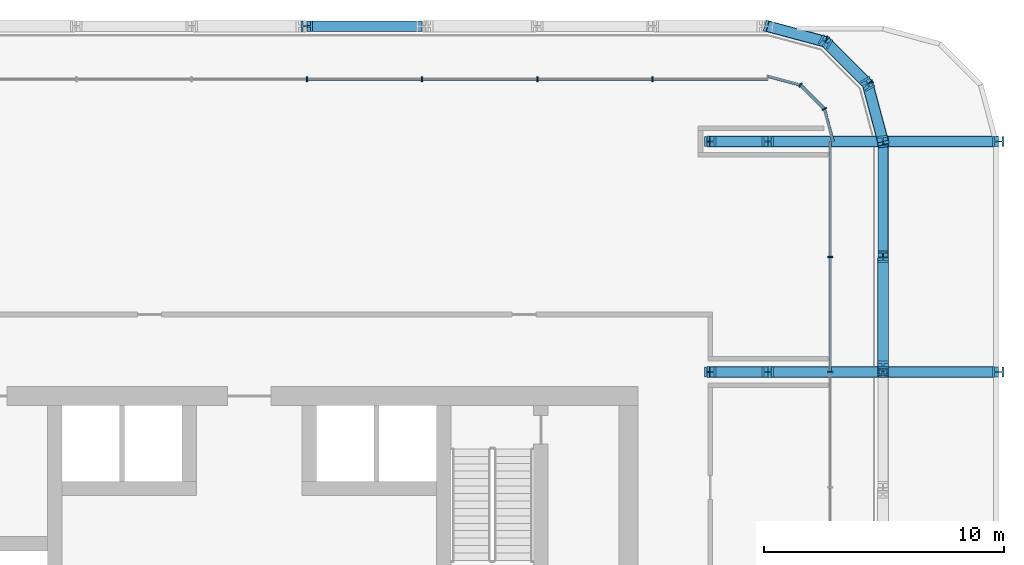
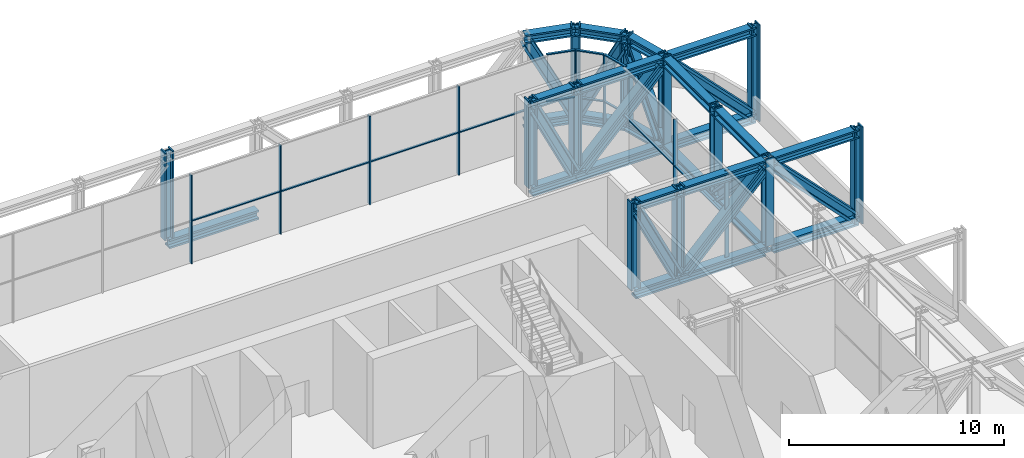
# One storey, part 13 of 25: 65 members, 3 elements without a shape of their own.
"""IFC4 building model written with IfcOpenShell, lengths in metres."""

from ifc_helpers import new_model, si_unit, direction, frame, origin, origin_2d, place, context, subcontext, project, spatial, rectangle, i_section, extrude, material, layer, layer_set, material_profile, profile_set, type_object, element, aggregate, save


model = new_model("IFC4")

# Units and contexts
model_context = context("Model", 3, precision=1e-05, world=origin(), true_north=direction((0.0, 1.0)))
body_context = subcontext(model_context, "Body", "Model", "MODEL_VIEW")
ifc_project = project(units=[si_unit("LENGTHUNIT", "METRE"), si_unit("AREAUNIT", "SQUARE_METRE"), si_unit("VOLUMEUNIT", "CUBIC_METRE"), si_unit("PLANEANGLEUNIT", "RADIAN"), si_unit("MASSUNIT", "GRAM", prefix="KILO")], contexts=[model_context])

# Site, building, storey
site_placement = place(None, origin())
site = spatial("IfcSite", under=ifc_project, at=site_placement, CompositionType="ELEMENT")
building_placement = place(site_placement, origin())
building = spatial("IfcBuilding", under=site, at=building_placement, Name="Madar Terraces", CompositionType="ELEMENT")
storey_placement = place(building_placement, frame((0.0, 0.0, 113.699951171875)))
storey = spatial("IfcBuildingStorey", under=building, at=storey_placement, Name="L29", CompositionType="ELEMENT", Elevation=113.699951171875)

# Members
ifc_material_1 = material(Name="Steel ASTM A913 Grade 65", Category="steel")
ifc_material_profile_1 = material_profile(ifc_material_1, i_section(OverallWidth=0.44189453125, OverallDepth=0.53076171875, WebThickness=0.06591796875, FlangeThickness=0.105712890625, at=origin_2d()), Name="W14x605")
ifc_profile_set_1 = profile_set([ifc_material_profile_1], Name="Steel ASTM A913 Grade 65")
member_type_1 = type_object("IfcMemberType", Name="BC4 W14x605", PredefinedType="CHORD", material=ifc_profile_set_1)
for number, where, z_axis, x_axis, name in (
    (1, (57.60009765625, 38.39990234375, -0.154541015625), (0.0, 1.0, 0.0), (-1.0, 0.0, 0.0), "Exoskeleton truss ring bottom chord BC4"),
    (2, (57.60009765625, 43.199951171875, -0.154541015625), (0.0, 1.0, 0.0), (-1.0, 0.0, 0.0), "Exoskeleton truss ring bottom chord BC4"),
):
    element("IfcMember", number, at=place(storey_placement, frame(where, z_axis=z_axis, x_axis=x_axis)), inside=storey, type_object=member_type_1, Name=name, PredefinedType="CHORD", context=body_context, shape_type="SweptSolid", body=[
        extrude(i_section(OverallWidth=0.44189453125, OverallDepth=0.53076171875, WebThickness=0.06591796875, FlangeThickness=0.105712890625, at=origin_2d()), origin(), (0.0, 0.0, 1.0), 4.800048828125),
    ])
member_1_placement = place(storey_placement, frame((57.60009765625, 48.0, -0.154541015625), z_axis=(-0.258824494443, 0.965924366126, 0.0), x_axis=(-0.965924366126, -0.258824494443, 0.0)))
element("IfcMember", 3, at=member_1_placement, inside=storey, type_object=member_type_1, Name="Exoskeleton truss ring bottom chord BC4", PredefinedType="CHORD", context=body_context, shape_type="SweptSolid", body=[
    extrude(i_section(OverallWidth=0.44189453125, OverallDepth=0.53076171875, WebThickness=0.06591796875, FlangeThickness=0.105712890625, at=origin_2d()), origin(), (0.0, 0.0, 1.0), 2.484619140625),
])
member_2_placement = place(storey_placement, frame((56.95703125, 50.39990234375, -0.154541015625), z_axis=(-0.707106781187, 0.707106781187, 0.0), x_axis=(-0.707106781187, -0.707106781187, 0.0)))
element("IfcMember", 4, at=member_2_placement, inside=storey, type_object=member_type_1, Name="Exoskeleton truss ring bottom chord BC4", PredefinedType="CHORD", context=body_context, shape_type="SweptSolid", body=[
    extrude(i_section(OverallWidth=0.44189453125, OverallDepth=0.53076171875, WebThickness=0.06591796875, FlangeThickness=0.105712890625, at=origin_2d()), origin(), (0.0, 0.0, 1.0), 2.48486328125),
])
member_3_placement = place(storey_placement, frame((55.199951171875, 52.156982421875, -0.154541015625), z_axis=(-0.965924366126, 0.258824494443, 0.0), x_axis=(-0.258824494443, -0.965924366126, 0.0)))
element("IfcMember", 5, at=member_3_placement, inside=storey, type_object=member_type_1, Name="Exoskeleton truss ring bottom chord BC4", PredefinedType="CHORD", context=body_context, shape_type="SweptSolid", body=[
    extrude(i_section(OverallWidth=0.44189453125, OverallDepth=0.53076171875, WebThickness=0.06591796875, FlangeThickness=0.105712890625, at=origin_2d()), origin(), (0.0, 0.0, 1.0), 2.484619140625),
])
member_4_placement = place(storey_placement, frame((38.39990234375, 52.800048828125, -0.154541015625), z_axis=(-1.0, 0.0, 0.0), x_axis=(0.0, -1.0, 0.0)))
element("IfcMember", 6, at=member_4_placement, inside=storey, type_object=member_type_1, Name="Exoskeleton truss ring bottom chord BC4", PredefinedType="CHORD", context=body_context, shape_type="SweptSolid", body=[
    extrude(i_section(OverallWidth=0.44189453125, OverallDepth=0.53076171875, WebThickness=0.06591796875, FlangeThickness=0.105712890625, at=origin_2d()), origin(), (0.0, 0.0, 1.0), 4.7998046875),
])
for number, where, z_axis, x_axis, name in (
    (7, (62.39990234375, 38.39990234375, -0.154541015625), (-1.0, 0.0, 0.0), (0.0, -1.0, 0.0), "Exoskeleton truss cross E38.4 bottom chord BC4"),
    (8, (57.37890625, 38.39990234375, -0.154541015625), (-1.0, 0.0, 0.0), (0.0, -1.0, 0.0), "Exoskeleton truss cross E38.4 bottom chord BC4"),
):
    element("IfcMember", number, at=place(storey_placement, frame(where, z_axis=z_axis, x_axis=x_axis)), inside=storey, type_object=member_type_1, Name=name, PredefinedType="CHORD", context=body_context, shape_type="SweptSolid", body=[
        extrude(i_section(OverallWidth=0.44189453125, OverallDepth=0.53076171875, WebThickness=0.06591796875, FlangeThickness=0.105712890625, at=origin_2d()), origin(), (0.0, 0.0, 1.0), 4.578857421875),
    ])
member_5_placement = place(storey_placement, frame((52.800048828125, 38.39990234375, -0.154541015625), z_axis=(-1.0, 0.0, 0.0), x_axis=(0.0, -1.0, 0.0)))
element("IfcMember", 9, at=member_5_placement, inside=storey, type_object=member_type_1, Name="Exoskeleton truss cross E38.4 bottom chord BC4", PredefinedType="CHORD", context=body_context, shape_type="SweptSolid", body=[
    extrude(i_section(OverallWidth=0.44189453125, OverallDepth=0.53076171875, WebThickness=0.06591796875, FlangeThickness=0.105712890625, at=origin_2d()), origin(), (0.0, 0.0, 1.0), 2.400146484375),
])
for number, where, z_axis, x_axis, name in (
    (10, (62.39990234375, 48.0, -0.154541015625), (-1.0, 0.0, 0.0), (0.0, -1.0, 0.0), "Exoskeleton truss cross E48 bottom chord BC4"),
    (11, (57.37890625, 48.0, -0.154541015625), (-1.0, 0.0, 0.0), (0.0, -1.0, 0.0), "Exoskeleton truss cross E48 bottom chord BC4"),
):
    element("IfcMember", number, at=place(storey_placement, frame(where, z_axis=z_axis, x_axis=x_axis)), inside=storey, type_object=member_type_1, Name=name, PredefinedType="CHORD", context=body_context, shape_type="SweptSolid", body=[
        extrude(i_section(OverallWidth=0.44189453125, OverallDepth=0.53076171875, WebThickness=0.06591796875, FlangeThickness=0.105712890625, at=origin_2d()), origin(), (0.0, 0.0, 1.0), 4.578857421875),
    ])
member_6_placement = place(storey_placement, frame((52.800048828125, 48.0, -0.154541015625), z_axis=(-1.0, 0.0, 0.0), x_axis=(0.0, -1.0, 0.0)))
element("IfcMember", 12, at=member_6_placement, inside=storey, type_object=member_type_1, Name="Exoskeleton truss cross E48 bottom chord BC4", PredefinedType="CHORD", context=body_context, shape_type="SweptSolid", body=[
    extrude(i_section(OverallWidth=0.44189453125, OverallDepth=0.53076171875, WebThickness=0.06591796875, FlangeThickness=0.105712890625, at=origin_2d()), origin(), (0.0, 0.0, 1.0), 2.400146484375),
])

# Curtain wall, members
ifc_material_2 = material(Name="Glass, ceramic frit dark grey, with black aluminium frame", Category="aluminium")
ifc_layer = layer(ifc_material_2, 0.199951171875)
ifc_layer_set = layer_set([ifc_layer], Name="Facade curtain wall, tall glazing")
curtain_wall_type = type_object("IfcCurtainWallType", Name="Facade curtain wall, tall glazing", PredefinedType="NOTDEFINED", material=ifc_layer_set)
curtain_wall_1_placement = place(storey_placement, origin())
curtain_wall_1 = element("IfcCurtainWall", 13, at=curtain_wall_1_placement, inside=storey, type_object=curtain_wall_type, Name="Outer skin curtain wall east bay 1", PredefinedType="NOTDEFINED")
ifc_material_3 = material(Name="Aluminium, black anodised", Category="aluminium")
ifc_material_profile_2 = material_profile(ifc_material_3, rectangle(XDim=0.199951171875, YDim=0.06005859375, at=origin_2d()), Name="Facade mullion 60x200")
ifc_profile_set_2 = profile_set([ifc_material_profile_2], Name="Aluminium, black anodised")
member_type_2 = type_object("IfcMemberType", Name="Facade mullion 60x200", PredefinedType="MULLION", material=ifc_profile_set_2)
member_7_placement = place(storey_placement, frame((55.39990234375, 38.39990234375, 0.0), z_axis=(0.0, 0.0, 1.0), x_axis=(-1.0, 0.0, 0.0)))
member_7 = element("IfcMember", 14, at=member_7_placement, type_object=member_type_2, Name="Mullion 6", PredefinedType="MULLION", context=body_context, shape_type="SweptSolid", body=[
    extrude(rectangle(XDim=0.199951171875, YDim=0.06005859375, at=origin_2d()), origin(), (0.0, 0.0, 1.0), 5.0400390625),
])
member_8_placement = place(storey_placement, frame((55.39990234375, 43.199951171875, 0.0), z_axis=(0.0, 0.0, 1.0), x_axis=(-1.0, 0.0, 0.0)))
member_8 = element("IfcMember", 15, at=member_8_placement, type_object=member_type_2, Name="Mullion 7", PredefinedType="MULLION", context=body_context, shape_type="SweptSolid", body=[
    extrude(rectangle(XDim=0.199951171875, YDim=0.06005859375, at=origin_2d()), origin(), (0.0, 0.0, 1.0), 5.0400390625),
])

curtain_wall_2_placement = place(storey_placement, origin())
curtain_wall_2 = element("IfcCurtainWall", 16, at=curtain_wall_2_placement, inside=storey, type_object=curtain_wall_type, Name="Outer skin curtain wall north bay 1", PredefinedType="NOTDEFINED")
member_9_placement = place(storey_placement, frame((48.0, 50.60009765625, 0.0), z_axis=(0.0, 0.0, 1.0), x_axis=(0.0, -1.0, 0.0)))
member_9 = element("IfcMember", 17, at=member_9_placement, type_object=member_type_2, Name="Mullion 1", PredefinedType="MULLION", context=body_context, shape_type="SweptSolid", body=[
    extrude(rectangle(XDim=0.199951171875, YDim=0.06005859375, at=origin_2d()), origin(), (0.0, 0.0, 1.0), 5.0400390625),
])
member_10_placement = place(storey_placement, frame((43.199951171875, 50.60009765625, 0.0), z_axis=(0.0, 0.0, 1.0), x_axis=(0.0, -1.0, 0.0)))
member_10 = element("IfcMember", 18, at=member_10_placement, type_object=member_type_2, Name="Mullion 2", PredefinedType="MULLION", context=body_context, shape_type="SweptSolid", body=[
    extrude(rectangle(XDim=0.199951171875, YDim=0.06005859375, at=origin_2d()), origin(), (0.0, 0.0, 1.0), 5.0400390625),
])
member_11_placement = place(storey_placement, frame((38.39990234375, 50.60009765625, 0.0), z_axis=(0.0, 0.0, 1.0), x_axis=(0.0, -1.0, 0.0)))
member_11 = element("IfcMember", 19, at=member_11_placement, type_object=member_type_2, Name="Mullion 3", PredefinedType="MULLION", context=body_context, shape_type="SweptSolid", body=[
    extrude(rectangle(XDim=0.199951171875, YDim=0.06005859375, at=origin_2d()), origin(), (0.0, 0.0, 1.0), 5.0400390625),
])
member_12_placement = place(storey_placement, frame((33.60009765625, 50.60009765625, 0.0), z_axis=(0.0, 0.0, 1.0), x_axis=(0.0, -1.0, 0.0)))
member_12 = element("IfcMember", 20, at=member_12_placement, type_object=member_type_2, Name="Mullion 4", PredefinedType="MULLION", context=body_context, shape_type="SweptSolid", body=[
    extrude(rectangle(XDim=0.199951171875, YDim=0.06005859375, at=origin_2d()), origin(), (0.0, 0.0, 1.0), 5.0400390625),
])

curtain_wall_3_placement = place(storey_placement, origin())
curtain_wall_3 = element("IfcCurtainWall", 21, at=curtain_wall_3_placement, inside=storey, type_object=curtain_wall_type, Name="Outer skin curtain wall north-east corner", PredefinedType="NOTDEFINED")
member_13_placement = place(storey_placement, frame((55.155517578125, 49.360107421875, 0.0), z_axis=(0.0, 0.0, 1.0), x_axis=(-0.866025386925, -0.500000029202, 0.0)))
member_13 = element("IfcMember", 22, at=member_13_placement, type_object=member_type_2, Name="Mullion 1", PredefinedType="MULLION", context=body_context, shape_type="SweptSolid", body=[
    extrude(rectangle(XDim=0.199951171875, YDim=0.06005859375, at=origin_2d()), origin(), (0.0, 0.0, 1.0), 5.0400390625),
])
member_14_placement = place(storey_placement, frame((54.159912109375, 50.35546875, 0.0), z_axis=(0.0, 0.0, 1.0), x_axis=(-0.500000029202, -0.866025386925, 0.0)))
member_14 = element("IfcMember", 23, at=member_14_placement, type_object=member_type_2, Name="Mullion 2", PredefinedType="MULLION", context=body_context, shape_type="SweptSolid", body=[
    extrude(rectangle(XDim=0.199951171875, YDim=0.06005859375, at=origin_2d()), origin(), (0.0, 0.0, 1.0), 5.0400390625),
])

# Member
ifc_material_4 = material(Name="Aluminium, black anodised", Category="aluminium")
ifc_material_profile_3 = material_profile(ifc_material_4, rectangle(XDim=0.1201171875, YDim=0.06005859375, at=origin_2d()), Name="Facade transom 60x120")
ifc_profile_set_3 = profile_set([ifc_material_profile_3], Name="Aluminium, black anodised")
member_type_3 = type_object("IfcMemberType", Name="Facade transom 60x120", PredefinedType="USERDEFINED", material=ifc_profile_set_3)
member_15_placement = place(storey_placement, frame((55.39990234375, 38.429931640625, 2.400146484375), z_axis=(0.0, 1.0, 0.0), x_axis=(-1.0, 0.0, 0.0)))
member_15 = element("IfcMember", 24, at=member_15_placement, type_object=member_type_3, Name="Transom 8", ObjectType="TRANSOM", PredefinedType="USERDEFINED", context=body_context, shape_type="SweptSolid", body=[
    extrude(rectangle(XDim=0.1201171875, YDim=0.06005859375, at=origin_2d()), origin(), (0.0, 0.0, 1.0), 4.739990234375),
])

member_16_placement = place(storey_placement, frame((55.39990234375, 43.22998046875, 2.400146484375), z_axis=(0.0, 1.0, 0.0), x_axis=(-1.0, 0.0, 0.0)))
member_16 = element("IfcMember", 25, at=member_16_placement, type_object=member_type_3, Name="Transom 9", ObjectType="TRANSOM", PredefinedType="USERDEFINED", context=body_context, shape_type="SweptSolid", body=[
    extrude(rectangle(XDim=0.1201171875, YDim=0.06005859375, at=origin_2d()), origin(), (0.0, 0.0, 1.0), 4.77001953125),
])

aggregate(curtain_wall_1, [member_7, member_8, member_15, member_16])

member_17_placement = place(storey_placement, frame((52.800048828125, 50.60009765625, 2.400146484375), z_axis=(-1.0, 0.0, 0.0), x_axis=(0.0, -1.0, 0.0)))
member_17 = element("IfcMember", 26, at=member_17_placement, type_object=member_type_3, Name="Transom 2", ObjectType="TRANSOM", PredefinedType="USERDEFINED", context=body_context, shape_type="SweptSolid", body=[
    extrude(rectangle(XDim=0.1201171875, YDim=0.06005859375, at=origin_2d()), origin(), (0.0, 0.0, 1.0), 4.77001953125),
])

member_18_placement = place(storey_placement, frame((47.969970703125, 50.60009765625, 2.400146484375), z_axis=(-1.0, 0.0, 0.0), x_axis=(0.0, -1.0, 0.0)))
member_18 = element("IfcMember", 27, at=member_18_placement, type_object=member_type_3, Name="Transom 3", ObjectType="TRANSOM", PredefinedType="USERDEFINED", context=body_context, shape_type="SweptSolid", body=[
    extrude(rectangle(XDim=0.1201171875, YDim=0.06005859375, at=origin_2d()), origin(), (0.0, 0.0, 1.0), 4.739990234375),
])

member_19_placement = place(storey_placement, frame((43.169921875, 50.60009765625, 2.400146484375), z_axis=(-1.0, 0.0, 0.0), x_axis=(0.0, -1.0, 0.0)))
member_19 = element("IfcMember", 28, at=member_19_placement, type_object=member_type_3, Name="Transom 4", ObjectType="TRANSOM", PredefinedType="USERDEFINED", context=body_context, shape_type="SweptSolid", body=[
    extrude(rectangle(XDim=0.1201171875, YDim=0.06005859375, at=origin_2d()), origin(), (0.0, 0.0, 1.0), 4.739990234375),
])

member_20_placement = place(storey_placement, frame((38.3701171875, 50.60009765625, 2.400146484375), z_axis=(-1.0, 0.0, 0.0), x_axis=(0.0, -1.0, 0.0)))
member_20 = element("IfcMember", 29, at=member_20_placement, type_object=member_type_3, Name="Transom 5", ObjectType="TRANSOM", PredefinedType="USERDEFINED", context=body_context, shape_type="SweptSolid", body=[
    extrude(rectangle(XDim=0.1201171875, YDim=0.06005859375, at=origin_2d()), origin(), (0.0, 0.0, 1.0), 4.740234375),
])

aggregate(curtain_wall_2, [member_9, member_10, member_11, member_12, member_17, member_18, member_19, member_20])

member_21_placement = place(storey_placement, frame((55.52001953125, 48.0, 5.070068359375), z_axis=(-0.258842352791, 0.965919580711, 0.0), x_axis=(-0.965919580711, -0.258842352791, 0.0)))
member_21 = element("IfcMember", 30, at=member_21_placement, type_object=member_type_3, Name="Transom 1", ObjectType="TRANSOM", PredefinedType="USERDEFINED", context=body_context, shape_type="SweptSolid", body=[
    extrude(rectangle(XDim=0.1201171875, YDim=0.06005859375, at=origin_2d()), origin(), (0.0, 0.0, 1.0), 1.3779296875),
])

member_22_placement = place(storey_placement, frame((55.52001953125, 48.0, 2.400146484375), z_axis=(-0.258842352791, 0.965919580711, 0.0), x_axis=(-0.965919580711, -0.258842352791, 0.0)))
member_22 = element("IfcMember", 31, at=member_22_placement, type_object=member_type_3, Name="Transom 2", ObjectType="TRANSOM", PredefinedType="USERDEFINED", context=body_context, shape_type="SweptSolid", body=[
    extrude(rectangle(XDim=0.1201171875, YDim=0.06005859375, at=origin_2d()), origin(), (0.0, 0.0, 1.0), 1.3779296875),
])

member_23_placement = place(storey_placement, frame((55.13427734375, 49.381103515625, 5.070068359375), z_axis=(-0.707016225155, 0.707197325622, 0.0), x_axis=(-0.707197325622, -0.707016225155, 0.0)))
member_23 = element("IfcMember", 32, at=member_23_placement, type_object=member_type_3, Name="Transom 3", ObjectType="TRANSOM", PredefinedType="USERDEFINED", context=body_context, shape_type="SweptSolid", body=[
    extrude(rectangle(XDim=0.1201171875, YDim=0.06005859375, at=origin_2d()), origin(), (0.0, 0.0, 1.0), 1.34814453125),
])

member_24_placement = place(storey_placement, frame((55.13427734375, 49.381103515625, 2.400146484375), z_axis=(-0.707016225155, 0.707197325622, 0.0), x_axis=(-0.707197325622, -0.707016225155, 0.0)))
member_24 = element("IfcMember", 33, at=member_24_placement, type_object=member_type_3, Name="Transom 4", ObjectType="TRANSOM", PredefinedType="USERDEFINED", context=body_context, shape_type="SweptSolid", body=[
    extrude(rectangle(XDim=0.1201171875, YDim=0.06005859375, at=origin_2d()), origin(), (0.0, 0.0, 1.0), 1.34814453125),
])

member_25_placement = place(storey_placement, frame((54.131103515625, 50.36328125, 5.070068359375), z_axis=(-0.965919580711, 0.258842352791, 0.0), x_axis=(-0.258842352791, -0.965919580711, 0.0)))
member_25 = element("IfcMember", 34, at=member_25_placement, type_object=member_type_3, Name="Transom 5", ObjectType="TRANSOM", PredefinedType="USERDEFINED", context=body_context, shape_type="SweptSolid", body=[
    extrude(rectangle(XDim=0.1201171875, YDim=0.06005859375, at=origin_2d()), origin(), (0.0, 0.0, 1.0), 1.3779296875),
])

member_26_placement = place(storey_placement, frame((54.131103515625, 50.36328125, 2.400146484375), z_axis=(-0.965919580711, 0.258842352791, 0.0), x_axis=(-0.258842352791, -0.965919580711, 0.0)))
member_26 = element("IfcMember", 35, at=member_26_placement, type_object=member_type_3, Name="Transom 6", ObjectType="TRANSOM", PredefinedType="USERDEFINED", context=body_context, shape_type="SweptSolid", body=[
    extrude(rectangle(XDim=0.1201171875, YDim=0.06005859375, at=origin_2d()), origin(), (0.0, 0.0, 1.0), 1.3779296875),
])

aggregate(curtain_wall_3, [member_13, member_21, member_22, member_14, member_23, member_24, member_25, member_26])

# Members
ifc_material_5 = material(Name="Steel ASTM A913 Grade 65", Category="steel")
ifc_material_profile_4 = material_profile(ifc_material_5, i_section(OverallWidth=0.431884765625, OverallDepth=0.497802734375, WebThickness=0.0556640625, FlangeThickness=0.0888671875, at=origin_2d()), Name="W14x500")
ifc_profile_set_4 = profile_set([ifc_material_profile_4], Name="Steel ASTM A913 Grade 65")
member_type_4 = type_object("IfcMemberType", Name="TC4 W14x500", PredefinedType="CHORD", material=ifc_profile_set_4)
for number, where, z_axis, x_axis, name in (
    (36, (57.60009765625, 38.39990234375, 4.78125), (0.0, 1.0, 0.0), (-1.0, 0.0, 0.0), "Exoskeleton truss ring top chord TC4"),
    (37, (57.60009765625, 43.199951171875, 4.78125), (0.0, 1.0, 0.0), (-1.0, 0.0, 0.0), "Exoskeleton truss ring top chord TC4"),
):
    element("IfcMember", number, at=place(storey_placement, frame(where, z_axis=z_axis, x_axis=x_axis)), inside=storey, type_object=member_type_4, Name=name, PredefinedType="CHORD", context=body_context, shape_type="SweptSolid", body=[
        extrude(i_section(OverallWidth=0.431884765625, OverallDepth=0.497802734375, WebThickness=0.0556640625, FlangeThickness=0.0888671875, at=origin_2d()), origin(), (0.0, 0.0, 1.0), 4.800048828125),
    ])
member_27_placement = place(storey_placement, frame((57.60009765625, 48.0, 4.78125), z_axis=(-0.258824494443, 0.965924366126, 0.0), x_axis=(-0.965924366126, -0.258824494443, 0.0)))
element("IfcMember", 38, at=member_27_placement, inside=storey, type_object=member_type_4, Name="Exoskeleton truss ring top chord TC4", PredefinedType="CHORD", context=body_context, shape_type="SweptSolid", body=[
    extrude(i_section(OverallWidth=0.431884765625, OverallDepth=0.497802734375, WebThickness=0.0556640625, FlangeThickness=0.0888671875, at=origin_2d()), origin(), (0.0, 0.0, 1.0), 2.484619140625),
])
member_28_placement = place(storey_placement, frame((56.95703125, 50.39990234375, 4.78125), z_axis=(-0.707106781187, 0.707106781187, 0.0), x_axis=(-0.707106781187, -0.707106781187, 0.0)))
element("IfcMember", 39, at=member_28_placement, inside=storey, type_object=member_type_4, Name="Exoskeleton truss ring top chord TC4", PredefinedType="CHORD", context=body_context, shape_type="SweptSolid", body=[
    extrude(i_section(OverallWidth=0.431884765625, OverallDepth=0.497802734375, WebThickness=0.0556640625, FlangeThickness=0.0888671875, at=origin_2d()), origin(), (0.0, 0.0, 1.0), 2.48486328125),
])
member_29_placement = place(storey_placement, frame((55.199951171875, 52.156982421875, 4.78125), z_axis=(-0.965924366126, 0.258824494443, 0.0), x_axis=(-0.258824494443, -0.965924366126, 0.0)))
element("IfcMember", 40, at=member_29_placement, inside=storey, type_object=member_type_4, Name="Exoskeleton truss ring top chord TC4", PredefinedType="CHORD", context=body_context, shape_type="SweptSolid", body=[
    extrude(i_section(OverallWidth=0.431884765625, OverallDepth=0.497802734375, WebThickness=0.0556640625, FlangeThickness=0.0888671875, at=origin_2d()), origin(), (0.0, 0.0, 1.0), 2.484619140625),
])
for number, where, z_axis, x_axis, name in (
    (41, (62.39990234375, 38.39990234375, 4.78125), (-1.0, 0.0, 0.0), (0.0, -1.0, 0.0), "Exoskeleton truss cross E38.4 top chord TC4"),
    (42, (57.384033203125, 38.39990234375, 4.78125), (-1.0, 0.0, 0.0), (0.0, -1.0, 0.0), "Exoskeleton truss cross E38.4 top chord TC4"),
):
    element("IfcMember", number, at=place(storey_placement, frame(where, z_axis=z_axis, x_axis=x_axis)), inside=storey, type_object=member_type_4, Name=name, PredefinedType="CHORD", context=body_context, shape_type="SweptSolid", body=[
        extrude(i_section(OverallWidth=0.431884765625, OverallDepth=0.497802734375, WebThickness=0.0556640625, FlangeThickness=0.0888671875, at=origin_2d()), origin(), (0.0, 0.0, 1.0), 4.583984375),
    ])
member_30_placement = place(storey_placement, frame((52.800048828125, 38.39990234375, 4.78125), z_axis=(-1.0, 0.0, 0.0), x_axis=(0.0, -1.0, 0.0)))
element("IfcMember", 43, at=member_30_placement, inside=storey, type_object=member_type_4, Name="Exoskeleton truss cross E38.4 top chord TC4", PredefinedType="CHORD", context=body_context, shape_type="SweptSolid", body=[
    extrude(i_section(OverallWidth=0.431884765625, OverallDepth=0.497802734375, WebThickness=0.0556640625, FlangeThickness=0.0888671875, at=origin_2d()), origin(), (0.0, 0.0, 1.0), 2.400146484375),
])
for number, where, z_axis, x_axis, name in (
    (44, (62.39990234375, 48.0, 4.78125), (-1.0, 0.0, 0.0), (0.0, -1.0, 0.0), "Exoskeleton truss cross E48 top chord TC4"),
    (45, (57.384033203125, 48.0, 4.78125), (-1.0, 0.0, 0.0), (0.0, -1.0, 0.0), "Exoskeleton truss cross E48 top chord TC4"),
):
    element("IfcMember", number, at=place(storey_placement, frame(where, z_axis=z_axis, x_axis=x_axis)), inside=storey, type_object=member_type_4, Name=name, PredefinedType="CHORD", context=body_context, shape_type="SweptSolid", body=[
        extrude(i_section(OverallWidth=0.431884765625, OverallDepth=0.497802734375, WebThickness=0.0556640625, FlangeThickness=0.0888671875, at=origin_2d()), origin(), (0.0, 0.0, 1.0), 4.583984375),
    ])
member_31_placement = place(storey_placement, frame((52.800048828125, 48.0, 4.78125), z_axis=(-1.0, 0.0, 0.0), x_axis=(0.0, -1.0, 0.0)))
element("IfcMember", 46, at=member_31_placement, inside=storey, type_object=member_type_4, Name="Exoskeleton truss cross E48 top chord TC4", PredefinedType="CHORD", context=body_context, shape_type="SweptSolid", body=[
    extrude(i_section(OverallWidth=0.431884765625, OverallDepth=0.497802734375, WebThickness=0.0556640625, FlangeThickness=0.0888671875, at=origin_2d()), origin(), (0.0, 0.0, 1.0), 2.400146484375),
])
ifc_material_6 = material(Name="Steel ASTM A913 Grade 65", Category="steel")
ifc_material_profile_5 = material_profile(ifc_material_6, i_section(OverallWidth=0.472412109375, OverallDepth=0.5791015625, WebThickness=0.094970703125, FlangeThickness=0.130126953125, at=origin_2d()), Name="W14x808")
ifc_profile_set_5 = profile_set([ifc_material_profile_5], Name="Steel ASTM A913 Grade 65")
member_type_5 = type_object("IfcMemberType", Name="TD4 W14x808", PredefinedType="BRACE", material=ifc_profile_set_5)
member_32_placement = place(storey_placement, frame((57.60009765625, 38.64208984375, 4.5322265625), z_axis=(0.0, 0.697181267802, -0.716894887571), x_axis=(-1.0, 0.0, 0.0)))
element("IfcMember", 47, at=member_32_placement, inside=storey, type_object=member_type_5, Name="Exoskeleton truss ring diagonal TD4", PredefinedType="BRACE", context=body_context, shape_type="SweptSolid", body=[
    extrude(i_section(OverallWidth=0.472412109375, OverallDepth=0.5791015625, WebThickness=0.094970703125, FlangeThickness=0.130126953125, at=origin_2d()), origin(), (0.0, 0.0, 1.0), 6.16748046875),
])
member_33_placement = place(storey_placement, frame((57.5654296875, 48.129150390625, 0.11083984375), z_axis=(-0.116397848783, 0.434321803553, 0.893205526045), x_axis=(-0.965913775686, -0.258864014379, 0.0)))
element("IfcMember", 48, at=member_33_placement, inside=storey, type_object=member_type_5, Name="Exoskeleton truss ring diagonal TD4", PredefinedType="BRACE", context=body_context, shape_type="SweptSolid", body=[
    extrude(i_section(OverallWidth=0.472412109375, OverallDepth=0.5791015625, WebThickness=0.094970703125, FlangeThickness=0.130126953125, at=origin_2d()), origin(), (0.0, 0.0, 1.0), 4.949951171875),
])
member_34_placement = place(storey_placement, frame((56.868408203125, 50.488525390625, 4.5322265625), z_axis=(-0.317968487304, 0.317968487304, -0.89319207462), x_axis=(-0.707106781187, -0.707106781187, 0.0)))
element("IfcMember", 49, at=member_34_placement, inside=storey, type_object=member_type_5, Name="Exoskeleton truss ring diagonal TD4", PredefinedType="BRACE", context=body_context, shape_type="SweptSolid", body=[
    extrude(i_section(OverallWidth=0.472412109375, OverallDepth=0.5791015625, WebThickness=0.094970703125, FlangeThickness=0.130126953125, at=origin_2d()), origin(), (0.0, 0.0, 1.0), 4.9501953125),
])
member_35_placement = place(storey_placement, frame((55.071044921875, 52.19140625, 0.11083984375), z_axis=(-0.434321803553, 0.116397848783, 0.893205526045), x_axis=(-0.258864014379, -0.965913775686, 0.0)))
element("IfcMember", 50, at=member_35_placement, inside=storey, type_object=member_type_5, Name="Exoskeleton truss ring diagonal TD4", PredefinedType="BRACE", context=body_context, shape_type="SweptSolid", body=[
    extrude(i_section(OverallWidth=0.472412109375, OverallDepth=0.5791015625, WebThickness=0.094970703125, FlangeThickness=0.130126953125, at=origin_2d()), origin(), (0.0, 0.0, 1.0), 4.949951171875),
])
for number, where, z_axis, x_axis, name in (
    (51, (62.141845703125, 38.39990234375, 0.11083984375), (-0.697181267802, 0.0, 0.716894887571), (0.0, -1.0, 0.0), "Exoskeleton truss cross E38.4 diagonal TD4"),
    (52, (57.35791015625, 38.39990234375, 4.5322265625), (-0.697181267802, 0.0, -0.716894887571), (0.0, -1.0, 0.0), "Exoskeleton truss cross E38.4 diagonal TD4"),
):
    element("IfcMember", number, at=place(storey_placement, frame(where, z_axis=z_axis, x_axis=x_axis)), inside=storey, type_object=member_type_5, Name=name, PredefinedType="BRACE", context=body_context, shape_type="SweptSolid", body=[
        extrude(i_section(OverallWidth=0.472412109375, OverallDepth=0.5791015625, WebThickness=0.094970703125, FlangeThickness=0.130126953125, at=origin_2d()), origin(), (0.0, 0.0, 1.0), 6.16748046875),
    ])
member_36_placement = place(storey_placement, frame((52.6708984375, 38.39990234375, 0.11083984375), z_axis=(-0.43729423743, 0.0, 0.899318491921), x_axis=(0.0, -1.0, 0.0)))
element("IfcMember", 53, at=member_36_placement, inside=storey, type_object=member_type_5, Name="Exoskeleton truss cross E38.4 diagonal TD4", PredefinedType="BRACE", context=body_context, shape_type="SweptSolid", body=[
    extrude(i_section(OverallWidth=0.472412109375, OverallDepth=0.5791015625, WebThickness=0.094970703125, FlangeThickness=0.130126953125, at=origin_2d()), origin(), (0.0, 0.0, 1.0), 4.916259765625),
])
for number, where, z_axis, x_axis, name in (
    (54, (62.141845703125, 48.0, 0.11083984375), (-0.697181267802, 0.0, 0.716894887571), (0.0, -1.0, 0.0), "Exoskeleton truss cross E48 diagonal TD4"),
    (55, (57.35791015625, 48.0, 4.5322265625), (-0.697181267802, 0.0, -0.716894887571), (0.0, -1.0, 0.0), "Exoskeleton truss cross E48 diagonal TD4"),
):
    element("IfcMember", number, at=place(storey_placement, frame(where, z_axis=z_axis, x_axis=x_axis)), inside=storey, type_object=member_type_5, Name=name, PredefinedType="BRACE", context=body_context, shape_type="SweptSolid", body=[
        extrude(i_section(OverallWidth=0.472412109375, OverallDepth=0.5791015625, WebThickness=0.094970703125, FlangeThickness=0.130126953125, at=origin_2d()), origin(), (0.0, 0.0, 1.0), 6.16748046875),
    ])
member_37_placement = place(storey_placement, frame((52.6708984375, 48.0, 0.11083984375), z_axis=(-0.43729423743, 0.0, 0.899318491921), x_axis=(0.0, -1.0, 0.0)))
element("IfcMember", 56, at=member_37_placement, inside=storey, type_object=member_type_5, Name="Exoskeleton truss cross E48 diagonal TD4", PredefinedType="BRACE", context=body_context, shape_type="SweptSolid", body=[
    extrude(i_section(OverallWidth=0.472412109375, OverallDepth=0.5791015625, WebThickness=0.094970703125, FlangeThickness=0.130126953125, at=origin_2d()), origin(), (0.0, 0.0, 1.0), 4.916259765625),
])
ifc_material_7 = material(Name="Steel ASTM A913 Grade 65", Category="steel")
ifc_material_profile_6 = material_profile(ifc_material_7, i_section(OverallWidth=0.424072265625, OverallDepth=0.47509765625, WebThickness=0.0478515625, FlangeThickness=0.0771484375, at=origin_2d()), Name="W14x426")
ifc_profile_set_6 = profile_set([ifc_material_profile_6], Name="Steel ASTM A913 Grade 65")
member_type_6 = type_object("IfcMemberType", Name="TV4 W14x426", PredefinedType="POST", material=ifc_profile_set_6)
for number, where, z_axis, x_axis, name in (
    (57, (57.60009765625, 38.39990234375, 0.11083984375), (0.0, 0.0, 1.0), (-1.0, 0.0, 0.0), "Exoskeleton truss ring post TV4"),
    (58, (57.60009765625, 43.199951171875, 0.11083984375), (0.0, 0.0, 1.0), (-1.0, 0.0, 0.0), "Exoskeleton truss ring post TV4"),
    (59, (57.60009765625, 48.0, 0.11083984375), (0.0, 0.0, 1.0), (-0.991444863652, -0.130526174916, 0.0), "Exoskeleton truss ring post TV4"),
    (60, (56.95703125, 50.39990234375, 0.11083984375), (0.0, 0.0, 1.0), (-0.866025412511, -0.499999984885, 0.0), "Exoskeleton truss ring post TV4"),
    (61, (55.199951171875, 52.156982421875, 0.11083984375), (0.0, 0.0, 1.0), (-0.499999984885, -0.866025412511, 0.0), "Exoskeleton truss ring post TV4"),
    (62, (33.60009765625, 52.800048828125, 0.11083984375), (0.0, 0.0, 1.0), (0.0, -1.0, 0.0), "Exoskeleton truss ring post TV4"),
):
    element("IfcMember", number, at=place(storey_placement, frame(where, z_axis=z_axis, x_axis=x_axis)), inside=storey, type_object=member_type_6, Name=name, PredefinedType="POST", context=body_context, shape_type="SweptSolid", body=[
        extrude(i_section(OverallWidth=0.424072265625, OverallDepth=0.47509765625, WebThickness=0.0478515625, FlangeThickness=0.0771484375, at=origin_2d()), origin(), (0.0, 0.0, 1.0), 4.9892578125),
    ])
member_38_placement = place(storey_placement, frame((62.39990234375, 38.39990234375, -0.419921875), z_axis=(0.0, 0.0, 1.0), x_axis=(0.0, 1.0, 0.0)))
element("IfcMember", 63, at=member_38_placement, inside=storey, type_object=member_type_6, Name="Exoskeleton truss cross E38.4 post TV4", PredefinedType="POST", context=body_context, shape_type="SweptSolid", body=[
    extrude(i_section(OverallWidth=0.424072265625, OverallDepth=0.47509765625, WebThickness=0.0478515625, FlangeThickness=0.0771484375, at=origin_2d()), origin(), (0.0, 0.0, 1.0), 5.52001953125),
])
for number, where, z_axis, x_axis, name in (
    (64, (52.800048828125, 38.39990234375, 0.11083984375), (0.0, 0.0, 1.0), (0.0, 1.0, 0.0), "Exoskeleton truss cross E38.4 post TV4"),
    (65, (50.39990234375, 38.39990234375, 0.11083984375), (0.0, 0.0, 1.0), (0.0, 1.0, 0.0), "Exoskeleton truss cross E38.4 post TV4"),
):
    element("IfcMember", number, at=place(storey_placement, frame(where, z_axis=z_axis, x_axis=x_axis)), inside=storey, type_object=member_type_6, Name=name, PredefinedType="POST", context=body_context, shape_type="SweptSolid", body=[
        extrude(i_section(OverallWidth=0.424072265625, OverallDepth=0.47509765625, WebThickness=0.0478515625, FlangeThickness=0.0771484375, at=origin_2d()), origin(), (0.0, 0.0, 1.0), 4.9892578125),
    ])
member_39_placement = place(storey_placement, frame((62.39990234375, 48.0, -0.419921875), z_axis=(0.0, 0.0, 1.0), x_axis=(0.0, 1.0, 0.0)))
element("IfcMember", 66, at=member_39_placement, inside=storey, type_object=member_type_6, Name="Exoskeleton truss cross E48 post TV4", PredefinedType="POST", context=body_context, shape_type="SweptSolid", body=[
    extrude(i_section(OverallWidth=0.424072265625, OverallDepth=0.47509765625, WebThickness=0.0478515625, FlangeThickness=0.0771484375, at=origin_2d()), origin(), (0.0, 0.0, 1.0), 5.52001953125),
])
for number, where, z_axis, x_axis, name in (
    (67, (52.800048828125, 48.0, 0.11083984375), (0.0, 0.0, 1.0), (0.0, 1.0, 0.0), "Exoskeleton truss cross E48 post TV4"),
    (68, (50.39990234375, 48.0, 0.11083984375), (0.0, 0.0, 1.0), (0.0, 1.0, 0.0), "Exoskeleton truss cross E48 post TV4"),
):
    element("IfcMember", number, at=place(storey_placement, frame(where, z_axis=z_axis, x_axis=x_axis)), inside=storey, type_object=member_type_6, Name=name, PredefinedType="POST", context=body_context, shape_type="SweptSolid", body=[
        extrude(i_section(OverallWidth=0.424072265625, OverallDepth=0.47509765625, WebThickness=0.0478515625, FlangeThickness=0.0771484375, at=origin_2d()), origin(), (0.0, 0.0, 1.0), 4.9892578125),
    ])

save(model, "model.ifc")
